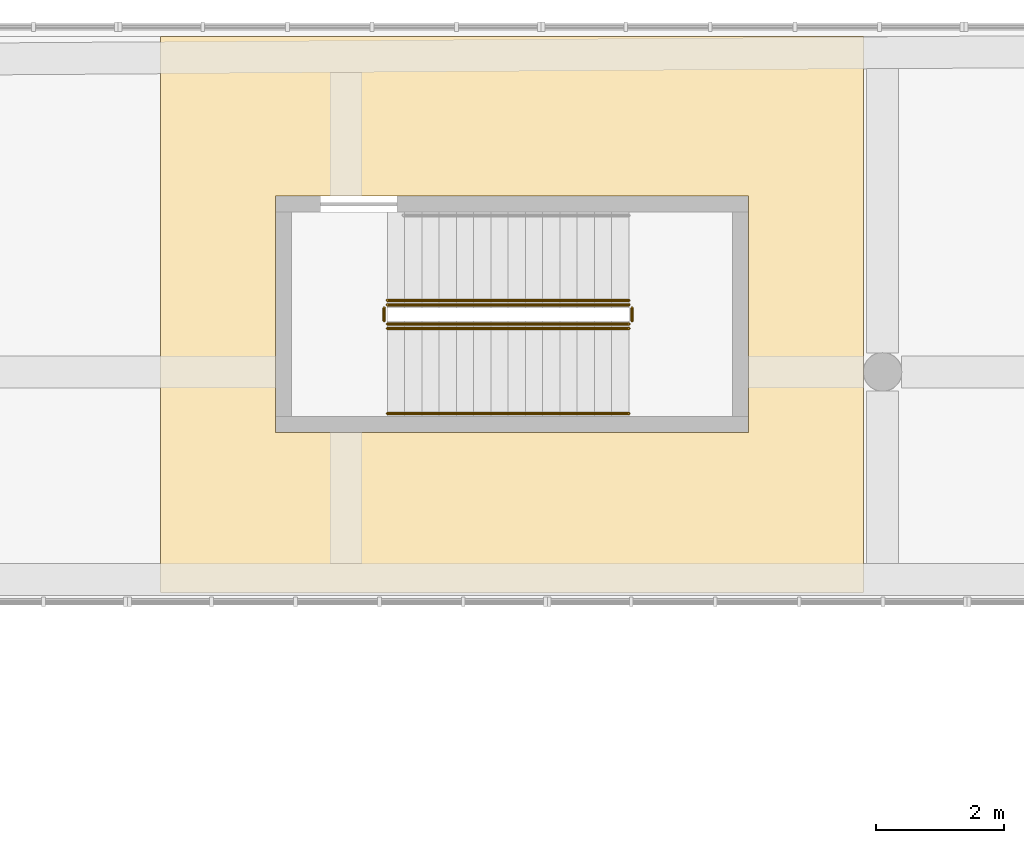
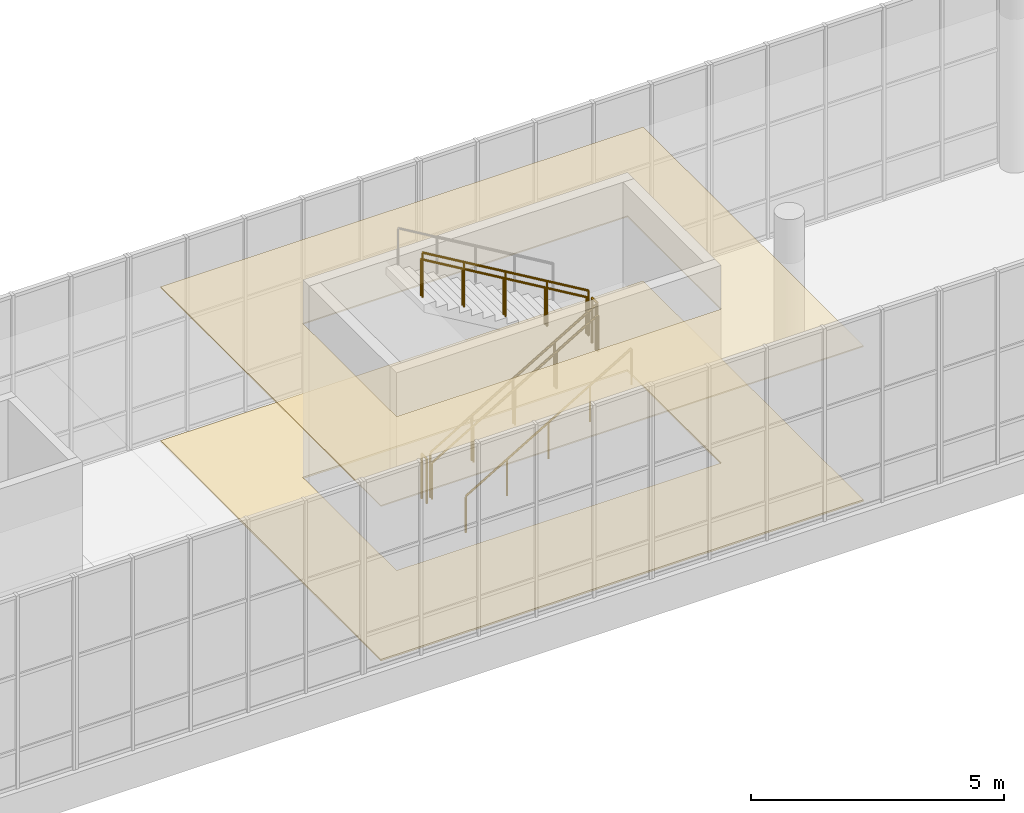
# One storey, part 114 of 119: 7 railings, 2 coverings.
"""IFC4 building model written with IfcOpenShell, lengths in metres."""

from ifc_helpers import new_model, si_unit, direction, frame, origin, origin_2d, place, context, subcontext, project, spatial, polyline, circle, outline, extrude, material, layer, layer_set, type_object, element, save


model = new_model("IFC4")

# Units and contexts
model_context = context("Model", 3, precision=1e-05, world=origin(), true_north=direction((0.0, 1.0)))
body_context = subcontext(model_context, "Body", "Model", "MODEL_VIEW")
ifc_project = project(units=[si_unit("LENGTHUNIT", "METRE"), si_unit("AREAUNIT", "SQUARE_METRE"), si_unit("VOLUMEUNIT", "CUBIC_METRE"), si_unit("PLANEANGLEUNIT", "RADIAN"), si_unit("MASSUNIT", "GRAM", prefix="KILO")], contexts=[model_context])

# Site, building, storey
site_placement = place(None, origin())
site = spatial("IfcSite", under=ifc_project, at=site_placement, CompositionType="ELEMENT")
building_placement = place(site_placement, origin())
building = spatial("IfcBuilding", under=site, at=building_placement, Name="Larchfold Concert Hall", CompositionType="ELEMENT")
storey_placement = place(building_placement, frame((0.0, 0.0, 4.800048828125)))
storey = spatial("IfcBuildingStorey", under=building, at=storey_placement, Name="L01", CompositionType="ELEMENT", Elevation=4.800048828125)

# Coverings
ifc_material_1 = material(Name="Plasterboard ceiling lining")
ifc_layer_1 = layer(ifc_material_1, 0.030029296875)
ifc_layer_set_1 = layer_set([ifc_layer_1], Name="Plasterboard ceiling lining")
covering_type_1 = type_object("IfcCoveringType", Name="Ceiling suspended plasterboard 30", PredefinedType="CEILING", material=ifc_layer_set_1)
covering_1_placement = place(storey_placement, frame((0.0, 0.0, 3.719970703125)))
element("IfcCovering", 1, at=covering_1_placement, inside=storey, type_object=covering_type_1, Name="Ceiling Foyer 02", PredefinedType="CEILING", context=body_context, shape_type="SweptSolid", body=[
    extrude(outline(polyline([(67.49951171875, 131.85009765625), (56.50048828125, 131.85009765625), (56.50048828125, 123.14990234375), (67.49951171875, 123.14990234375), (67.49951171875, 131.85009765625)]), holes=[polyline([(65.699951171875, 125.64990234375), (58.300048828125, 125.64990234375), (58.300048828125, 129.35009765625), (65.699951171875, 129.35009765625), (65.699951171875, 125.64990234375)])]), origin(), (0.0, 0.0, 1.0), 0.030029296875),
])
ifc_material_2 = material(Name="Polished terrazzo")
ifc_layer_2 = layer(ifc_material_2, 0.0400390625)
ifc_layer_set_2 = layer_set([ifc_layer_2], Name="Polished terrazzo")
covering_type_2 = type_object("IfcCoveringType", Name="Floor finish terrazzo 40", PredefinedType="FLOORING", material=ifc_layer_set_2)
covering_2_placement = place(storey_placement, origin())
element("IfcCovering", 2, at=covering_2_placement, inside=storey, type_object=covering_type_2, Name="Floor finish Foyer 02", PredefinedType="FLOORING", context=body_context, shape_type="SweptSolid", body=[
    extrude(outline(polyline([(67.49951171875, 131.85009765625), (56.50048828125, 131.85009765625), (56.50048828125, 123.14990234375), (67.49951171875, 123.14990234375), (67.49951171875, 131.85009765625)]), holes=[polyline([(65.699951171875, 125.64990234375), (58.300048828125, 125.64990234375), (58.300048828125, 129.35009765625), (65.699951171875, 129.35009765625), (65.699951171875, 125.64990234375)])]), origin(), (0.0, 0.0, 1.0), 0.0400390625),
])

# Railings
ifc_material_3 = material(Name="Stainless steel balustrade", Category="steel")
railing_type_1 = type_object("IfcRailingType", Name="Stair guard 1100", PredefinedType="GUARDRAIL", material=ifc_material_3)
railing_1_placement = place(storey_placement, frame((60.050048828125, 127.349853515625, 0.159912109375)))
element("IfcRailing", 3, at=railing_1_placement, inside=storey, type_object=railing_type_1, Name="Guard GR0097", PredefinedType="GUARDRAIL", context=body_context, shape_type="SweptSolid", body=[
    extrude(circle(Radius=0.02392578125, at=origin_2d()), frame((0.0, 0.0, 1.076171875), z_axis=(0.860294241299, 0.0, 0.509797821089), x_axis=(0.0, 1.0, 0.0)), (0.0, 0.0, 1.0), 4.393798828125),
    extrude(circle(Radius=0.02099609375, at=origin_2d()), origin(), (0.0, 0.0, 1.0), 1.052001953125),
    extrude(circle(Radius=0.02099609375, at=origin_2d()), frame((0.945068359375, 0.0, 0.56005859375)), (0.0, 0.0, 1.0), 1.052001953125),
    extrude(circle(Radius=0.02099609375, at=origin_2d()), frame((1.89013671875, 0.0, 1.1201171875)), (0.0, 0.0, 1.0), 1.052001953125),
    extrude(circle(Radius=0.02099609375, at=origin_2d()), frame((2.8349609375, 0.0, 1.679931640625)), (0.0, 0.0, 1.0), 1.052001953125),
    extrude(circle(Radius=0.02099609375, at=origin_2d()), frame((3.780029296875, 0.0, 2.239990234375)), (0.0, 0.0, 1.0), 1.052001953125),
])
railing_2_placement = place(storey_placement, frame((63.880126953125, 127.39990234375, 2.39990234375)))
element("IfcRailing", 4, at=railing_2_placement, inside=storey, type_object=railing_type_1, Name="Guard GR0098", PredefinedType="GUARDRAIL", context=body_context, shape_type="SweptSolid", body=[
    extrude(circle(Radius=0.02392578125, at=origin_2d()), frame((0.0, 0.0, 1.076171875), z_axis=(0.0, 1.0, 0.0), x_axis=(-1.0, 0.0, 0.0)), (0.0, 0.0, 1.0), 0.199951171875),
    extrude(circle(Radius=0.02099609375, at=origin_2d()), origin(), (0.0, 0.0, 1.0), 1.052001953125),
    extrude(circle(Radius=0.02099609375, at=origin_2d()), frame((0.0, 0.199951171875, 0.0)), (0.0, 0.0, 1.0), 1.052001953125),
])
railing_3_placement = place(storey_placement, frame((63.830078125, 127.64990234375, 2.56005859375)))
element("IfcRailing", 5, at=railing_3_placement, inside=storey, type_object=railing_type_1, Name="Guard GR0099", PredefinedType="GUARDRAIL", context=body_context, shape_type="SweptSolid", body=[
    extrude(circle(Radius=0.02392578125, at=origin_2d()), frame((0.0, 0.0, 1.076171875), z_axis=(-0.860294241299, 0.0, 0.509797821089), x_axis=(0.0, -1.0, 0.0)), (0.0, 0.0, 1.0), 4.393798828125),
    extrude(circle(Radius=0.02099609375, at=origin_2d()), origin(), (0.0, 0.0, 1.0), 1.052001953125),
    extrude(circle(Radius=0.02099609375, at=origin_2d()), frame((-0.945068359375, 0.0, 0.56005859375)), (0.0, 0.0, 1.0), 1.052001953125),
    extrude(circle(Radius=0.02099609375, at=origin_2d()), frame((-1.89013671875, 0.0, 1.1201171875)), (0.0, 0.0, 1.0), 1.052001953125),
    extrude(circle(Radius=0.02099609375, at=origin_2d()), frame((-2.8349609375, 0.0, 1.679931640625)), (0.0, 0.0, 1.0), 1.052001953125),
    extrude(circle(Radius=0.02099609375, at=origin_2d()), frame((-3.780029296875, 0.0, 2.239990234375)), (0.0, 0.0, 1.0), 1.052001953125),
])
railing_4_placement = place(storey_placement, frame((60.0, 127.39990234375, 0.0)))
element("IfcRailing", 6, at=railing_4_placement, inside=storey, type_object=railing_type_1, Name="Guard GR0100", PredefinedType="GUARDRAIL", context=body_context, shape_type="SweptSolid", body=[
    extrude(circle(Radius=0.02392578125, at=origin_2d()), frame((0.0, 0.0, 1.076171875), z_axis=(0.0, 1.0, 0.0), x_axis=(-1.0, 0.0, 0.0)), (0.0, 0.0, 1.0), 0.199951171875),
    extrude(circle(Radius=0.02099609375, at=origin_2d()), origin(), (0.0, 0.0, 1.0), 1.052001953125),
    extrude(circle(Radius=0.02099609375, at=origin_2d()), frame((0.0, 0.199951171875, 0.0)), (0.0, 0.0, 1.0), 1.052001953125),
])
ifc_material_4 = material(Name="Stainless steel handrail", Category="steel")
railing_type_2 = type_object("IfcRailingType", Name="Stair handrail 900", PredefinedType="HANDRAIL", material=ifc_material_4)
for number, where, name in (
    (7, (60.050048828125, 125.949951171875, 0.159912109375), "Handrail HR0093"),
    (8, (60.050048828125, 127.27978515625, 0.159912109375), "Handrail HR0095"),
):
    element("IfcRailing", number, at=place(storey_placement, frame(where)), inside=storey, type_object=railing_type_2, Name=name, PredefinedType="HANDRAIL", context=body_context, shape_type="SweptSolid", body=[
        extrude(circle(Radius=0.02392578125, at=origin_2d()), frame((0.0, 0.0, 0.8759765625), z_axis=(0.860294241299, 0.0, 0.509797821089), x_axis=(0.0, 1.0, 0.0)), (0.0, 0.0, 1.0), 4.393798828125),
        extrude(circle(Radius=0.02099609375, at=origin_2d()), origin(), (0.0, 0.0, 1.0), 0.851806640625),
        extrude(circle(Radius=0.02099609375, at=origin_2d()), frame((0.945068359375, 0.0, 0.56005859375)), (0.0, 0.0, 1.0), 0.851806640625),
        extrude(circle(Radius=0.02099609375, at=origin_2d()), frame((1.89013671875, 0.0, 1.1201171875)), (0.0, 0.0, 1.0), 0.851806640625),
        extrude(circle(Radius=0.02099609375, at=origin_2d()), frame((2.8349609375, 0.0, 1.679931640625)), (0.0, 0.0, 1.0), 0.851806640625),
        extrude(circle(Radius=0.02099609375, at=origin_2d()), frame((3.780029296875, 0.0, 2.239990234375)), (0.0, 0.0, 1.0), 0.851806640625),
    ])
railing_5_placement = place(storey_placement, frame((63.830078125, 127.719970703125, 2.56005859375)))
element("IfcRailing", 9, at=railing_5_placement, inside=storey, type_object=railing_type_2, Name="Handrail HR0096", PredefinedType="HANDRAIL", context=body_context, shape_type="SweptSolid", body=[
    extrude(circle(Radius=0.02392578125, at=origin_2d()), frame((0.0, 0.0, 0.8759765625), z_axis=(-0.860294241299, 0.0, 0.509797821089), x_axis=(0.0, -1.0, 0.0)), (0.0, 0.0, 1.0), 4.393798828125),
    extrude(circle(Radius=0.02099609375, at=origin_2d()), origin(), (0.0, 0.0, 1.0), 0.851806640625),
    extrude(circle(Radius=0.02099609375, at=origin_2d()), frame((-0.945068359375, 0.0, 0.56005859375)), (0.0, 0.0, 1.0), 0.851806640625),
    extrude(circle(Radius=0.02099609375, at=origin_2d()), frame((-1.89013671875, 0.0, 1.1201171875)), (0.0, 0.0, 1.0), 0.851806640625),
    extrude(circle(Radius=0.02099609375, at=origin_2d()), frame((-2.8349609375, 0.0, 1.679931640625)), (0.0, 0.0, 1.0), 0.851806640625),
    extrude(circle(Radius=0.02099609375, at=origin_2d()), frame((-3.780029296875, 0.0, 2.239990234375)), (0.0, 0.0, 1.0), 0.851806640625),
])

save(model, "model.ifc")
